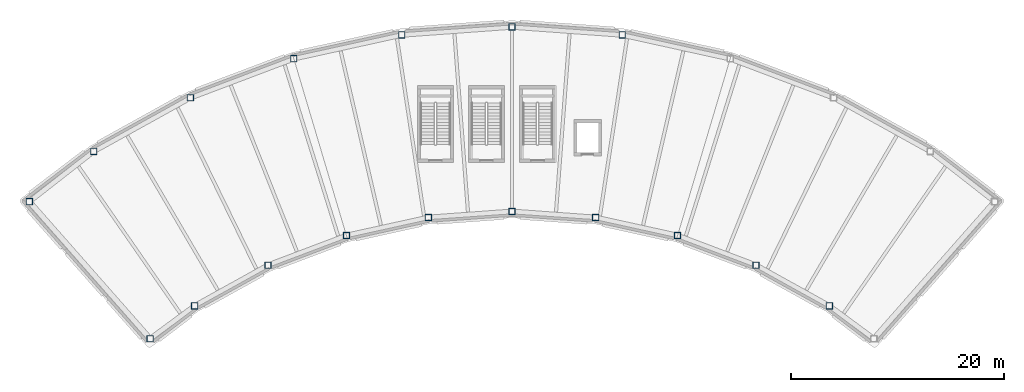
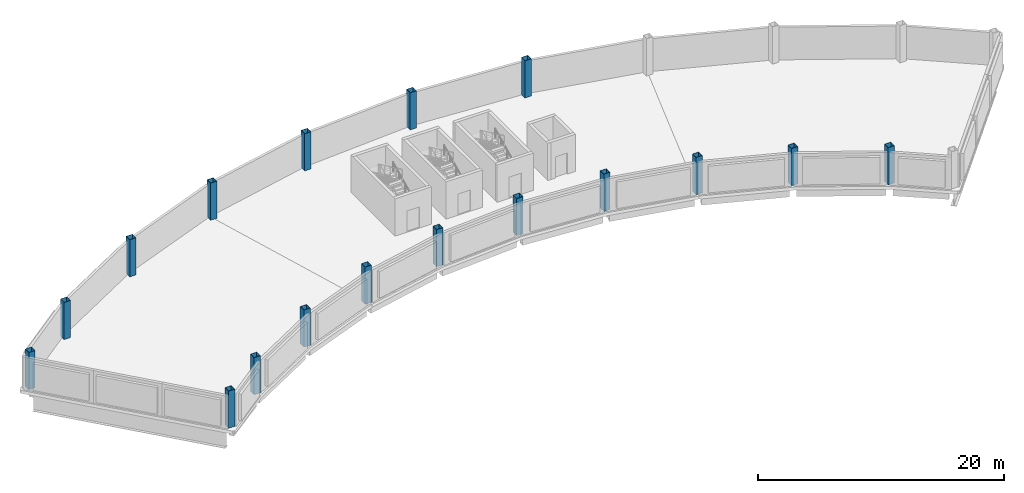
# One storey, part 1 of 5: 17 columns.
"""IFC4 building model written with IfcOpenShell, lengths in metres."""

import ifcopenshell
import ifcopenshell.guid

model = None  # the IFC model being written
_history = None  # IfcOwnerHistory: only IFC2X3 demands one
_inside = {}  # id of a spatial element -> (the spatial element, [elements in it])
_under = {}  # id of a project, library or spatial element -> (it, [spatial elements below it])
_declared = {}  # id of a project -> (the project, [libraries it declares])
_typed = {}  # id of a type object -> (the type object, [elements of that type])
_made_of = {}  # id of a material, layer set ... -> (it, [elements and type objects made of it])


def new_model(schema):
    """Start an empty IFC model of exactly this schema.

    Asked for "IFC4X3", IfcOpenShell would pick the latest addendum, in which some entities
    have other attributes; the version numbers below select the first issue.
    IFC2X3 requires an IfcOwnerHistory on every rooted entity: one is made here for all.
    """
    global model, _history
    if schema == "IFC4X3":
        model = ifcopenshell.file(schema_version=(4, 3, 0, 0))
    else:
        model = ifcopenshell.file(schema=schema)
    _inside.clear()
    _under.clear()
    _declared.clear()
    _typed.clear()
    _made_of.clear()
    _history = None
    if model.schema == "IFC2X3":
        org = make("IfcOrganization", Name="unknown")
        user = make(
            "IfcPersonAndOrganization",
            ThePerson=make("IfcPerson", FamilyName="unknown"),
            TheOrganization=org,
        )
        app = make(
            "IfcApplication",
            ApplicationDeveloper=org,
            Version="unknown",
            ApplicationFullName="unknown",
            ApplicationIdentifier="unknown",
        )
        _history = make(
            "IfcOwnerHistory",
            OwningUser=user,
            OwningApplication=app,
            ChangeAction="ADDED",
            CreationDate=0,
        )
    return model


def make(cls, **values):
    """One entity of the class cls with the attributes given. An attribute that is None is left unset."""
    return model.create_entity(
        cls, **{name: value for name, value in values.items() if value is not None}
    )


def rooted(cls, **values):
    """An entity with a GlobalId (a new one), such as an element, a storey or a relation."""
    return make(cls, GlobalId=ifcopenshell.guid.new(), OwnerHistory=_history, **values)


def si_unit(unit_type, name, prefix=None):
    """IfcSIUnit, for example si_unit("LENGTHUNIT", "METRE", prefix="MILLI")."""
    return make("IfcSIUnit", UnitType=unit_type, Prefix=prefix, Name=name)


def assignment(units):
    """IfcUnitAssignment: the units of a project."""
    return None if units is None else make("IfcUnitAssignment", Units=units)


def point(xyz):
    """IfcCartesianPoint."""
    return None if xyz is None else make("IfcCartesianPoint", Coordinates=xyz)


def direction(xyz):
    """IfcDirection."""
    return None if xyz is None else make("IfcDirection", DirectionRatios=xyz)


def frame(location, z_axis=None, x_axis=None):
    """IfcAxis2Placement3D, a coordinate frame: its origin and axes. An axis left out is left unset."""
    return make(
        "IfcAxis2Placement3D",
        Location=point(location),
        Axis=direction(z_axis),
        RefDirection=direction(x_axis),
    )


def frame_2d(location, x_axis=None):
    """IfcAxis2Placement2D, a coordinate frame in the plane: its origin and x axis."""
    return make(
        "IfcAxis2Placement2D", Location=point(location), RefDirection=direction(x_axis)
    )


def origin():
    """The frame at (0, 0, 0) with its axes left unset."""
    return frame((0.0, 0.0, 0.0))


def origin_2d():
    """The frame at (0, 0) in the plane with its x axis left unset."""
    return frame_2d((0.0, 0.0))


def place(relative_to, where):
    """IfcLocalPlacement: puts the frame where relative to a parent placement (None: the world)."""
    return make(
        "IfcLocalPlacement", PlacementRelTo=relative_to, RelativePlacement=where
    )


def context(
    kind, dimensions, precision=None, world=None, true_north=None, identifier=None
):
    """IfcGeometricRepresentationContext, for example the 3D "Model" context."""
    return make(
        "IfcGeometricRepresentationContext",
        ContextIdentifier=identifier,
        ContextType=kind,
        CoordinateSpaceDimension=dimensions,
        Precision=precision,
        WorldCoordinateSystem=world,
        TrueNorth=true_north,
    )


def subcontext(parent, identifier, kind, view, scale=None):
    """IfcGeometricRepresentationSubContext, for example "Body" below "Model"."""
    return make(
        "IfcGeometricRepresentationSubContext",
        ContextIdentifier=identifier,
        ContextType=kind,
        ParentContext=parent,
        TargetScale=scale,
        TargetView=view,
    )


def project(units=None, contexts=None):
    """IfcProject with its units and contexts."""
    return rooted(
        "IfcProject",
        Name="project",
        RepresentationContexts=contexts,
        UnitsInContext=assignment(units),
    )


def spatial(cls, under=None, at=None, **own):
    """A site, building, storey or space (cls), placed at a placement, below another one or the project."""
    s = rooted(cls, ObjectPlacement=at, **own)
    if under is not None:
        _under.setdefault(under.id(), (under, []))[1].append(s)
    return s


def profile(cls, at=None, kind="AREA", **sizes):
    """A parametric profile (cls). Its sizes go by their IFC names, for example OverallWidth=200.0."""
    return make(cls, ProfileType=kind, Position=at, **sizes)


def hollow_rectangle(**sizes):
    """IfcRectangleHollowProfileDef."""
    return profile("IfcRectangleHollowProfileDef", **sizes)


def extrude(swept, where, along, depth):
    """IfcExtrudedAreaSolid: the profile swept, set in the frame where, extruded along a direction by depth."""
    return make(
        "IfcExtrudedAreaSolid",
        SweptArea=swept,
        Position=where,
        ExtrudedDirection=direction(along),
        Depth=depth,
    )


def shape(context_of_items, identifier, shape_type, items):
    """IfcShapeRepresentation: the items that make up one representation, for example the "Body"."""
    return make(
        "IfcShapeRepresentation",
        ContextOfItems=context_of_items,
        RepresentationIdentifier=identifier,
        RepresentationType=shape_type,
        Items=items,
    )


def material(Name=None, Category=None):
    """IfcMaterial."""
    return make("IfcMaterial", Name=Name, Category=Category)


def material_profile(
    of_material, cross_section, Name=None, Category=None, Priority=None
):
    """IfcMaterialProfile: a cross section and its material."""
    return make(
        "IfcMaterialProfile",
        Name=Name,
        Material=of_material,
        Profile=cross_section,
        Priority=Priority,
        Category=Category,
    )


def profile_set(profiles, Name=None, composite=None):
    """IfcMaterialProfileSet."""
    return make(
        "IfcMaterialProfileSet",
        Name=Name,
        MaterialProfiles=profiles,
        CompositeProfile=composite,
    )


def made_of(thing, what):
    """Note that an element or type object is made of a material, layer set ...; save() writes the relation."""
    if what is not None:
        _made_of.setdefault(what.id(), (what, []))[1].append(thing)
    return thing


def type_object(cls, material=None, **own):
    """A type object (cls), such as IfcWallType, which elements share."""
    return made_of(rooted(cls, **own), material)


def element(
    cls,
    number,
    at=None,
    inside=None,
    cuts=None,
    type_object=None,
    material=None,
    context=None,
    identifier="Body",
    shape_type=None,
    held_by="IfcProductDefinitionShape",
    body=None,
    shapes=None,
    **own,
):
    """One element of the class cls, such as IfcWall. Its Tag is "e" and its number.

    at: its placement. inside: the storey or other place that contains it. cuts: it is an
    opening in that element (IfcRelVoidsElement). A single representation is given by context,
    identifier, shape_type and body (its items); several are given by shapes. held_by: the class
    of the entity that holds the representations. save() writes the other relations.
    """
    e = rooted(cls, Tag="e%d" % number, ObjectPlacement=at, **own)
    if body is not None:
        shapes = [shape(context, identifier, shape_type, body)]
    if shapes is not None:
        e.Representation = make(held_by, Representations=shapes)
    if inside is not None:
        _inside.setdefault(inside.id(), (inside, []))[1].append(e)
    if cuts is not None:
        rooted(
            "IfcRelVoidsElement", RelatingBuildingElement=cuts, RelatedOpeningElement=e
        )
    if type_object is not None:
        _typed.setdefault(type_object.id(), (type_object, []))[1].append(e)
    return made_of(e, material)


def aggregate(whole, parts):
    """IfcRelAggregates: a whole, such as a stair, and the parts it consists of."""
    return rooted("IfcRelAggregates", RelatingObject=whole, RelatedObjects=parts)


def save(model, path):
    """Write the relations noted so far, then the file.

    IfcRelAggregates (storeys below a building ...), IfcRelContainedInSpatialStructure (elements
    in a storey), IfcRelDefinesByType, IfcRelAssociatesMaterial and IfcRelDeclares: one each for
    every whole, place, type object, material and project.
    """
    for whole, parts in _under.values():
        aggregate(whole, parts)
    for where, things in _inside.values():
        rooted(
            "IfcRelContainedInSpatialStructure",
            RelatedElements=things,
            RelatingStructure=where,
        )
    for kind, things in _typed.values():
        rooted("IfcRelDefinesByType", RelatedObjects=things, RelatingType=kind)
    for what, things in _made_of.values():
        rooted("IfcRelAssociatesMaterial", RelatedObjects=things, RelatingMaterial=what)
    for by, libraries in _declared.values():
        rooted("IfcRelDeclares", RelatingContext=by, RelatedDefinitions=libraries)
    model.write(path)


model = new_model("IFC4")

# Units and contexts
model_context = context("Model", 3, precision=1e-05, world=origin(), true_north=direction((0.0, 1.0)))
body_context = subcontext(model_context, "Body", "Model", "MODEL_VIEW")
ifc_project = project(units=[si_unit("LENGTHUNIT", "METRE"), si_unit("AREAUNIT", "SQUARE_METRE"), si_unit("VOLUMEUNIT", "CUBIC_METRE"), si_unit("PLANEANGLEUNIT", "RADIAN"), si_unit("MASSUNIT", "GRAM", prefix="KILO")], contexts=[model_context])

# Site, building, storey
site_placement = place(None, origin())
site = spatial("IfcSite", under=ifc_project, at=site_placement, CompositionType="ELEMENT")
building_placement = place(site_placement, origin())
building = spatial("IfcBuilding", under=site, at=building_placement, Name="Tuul Gate Civic Tower", CompositionType="ELEMENT")
storey_placement = place(building_placement, frame((0.0, 0.0, 364.10009765625)))
storey = spatial("IfcBuildingStorey", under=building, at=storey_placement, Name="Crown tier 1 upper", CompositionType="ELEMENT", Elevation=364.10009765625)

# Columns
ifc_material = material(Name="Steel S355", Category="steel")
ifc_material_profile = material_profile(ifc_material, hollow_rectangle(XDim=0.60009765625, YDim=0.60009765625, WallThickness=0.02490234375, at=origin_2d()), Name="BOX600x600x25")
ifc_profile_set = profile_set([ifc_material_profile], Name="Steel S355")
column_type = type_object("IfcColumnType", Name="STR-COLUMN-BOX600x600x25", PredefinedType="COLUMN", material=ifc_profile_set)
for number, where, z_axis, x_axis, name in (
    (1, (12.552001953125, 11.072021484375, 0.0), (0.0, 0.0, 1.0), (1.0, 0.0, 0.0), "Column"),
    (2, (2.19189453125, 11.822021484375, 0.0), (0.0, 0.0, 1.0), (1.0, 0.0, 0.0), "Column"),
    (3, (-8.16796875, 11.072021484375, 0.0), (0.0, 0.0, 1.0), (1.0, 0.0, 0.0), "Column"),
    (4, (-18.31298828125, 8.8359375, 0.0), (0.0, 0.0, 1.0), (1.0, 0.0, 0.0), "Column"),
    (5, (-28.029052734375, 5.162109375, 0.0), (0.0, 0.0, 1.0), (1.0, 0.0, 0.0), "Column"),
    (6, (-37.114013671875, 0.1259765625, 0.0), (0.0, 0.0, 1.0), (1.0, 0.0, 0.0), "Column"),
    (7, (-43.1650390625, -4.60107421875, 0.0), (0.0, 0.0, 1.0), (1.0, 0.0, 0.0), "Column"),
    (8, (-31.81689453125, -17.48291015625, 0.0), (0.0, 0.0, 1.0), (1.0, 0.0, 0.0), "Column"),
    (9, (-27.631103515625, -14.39697265625, 0.0), (0.0, 0.0, 1.0), (1.0, 0.0, 0.0), "Column"),
    (10, (-20.738037109375, -10.575927734375, 0.0), (0.0, 0.0, 1.0), (1.0, 0.0, 0.0), "Column"),
    (11, (-13.365966796875, -7.7880859375, 0.0), (0.0, 0.0, 1.0), (1.0, 0.0, 0.0), "Column"),
    (12, (-5.6689453125, -6.092041015625, 0.0), (0.0, 0.0, 1.0), (1.0, 0.0, 0.0), "Column"),
    (13, (2.19189453125, -5.52294921875, 0.0), (0.0, 0.0, 1.0), (1.0, 0.0, 0.0), "Column"),
    (14, (10.052978515625, -6.092041015625, 0.0), (0.0, 0.0, 1.0), (1.0, 0.0, 0.0), "Column"),
    (15, (17.75, -7.7880859375, 0.0), (0.0, 0.0, 1.0), (1.0, 0.0, 0.0), "Column"),
    (16, (25.1220703125, -10.575927734375, 0.0), (0.0, 0.0, 1.0), (1.0, 0.0, 0.0), "Column"),
    (17, (32.014892578125, -14.39697265625, 0.0), (0.0, 0.0, 1.0), (1.0, 0.0, 0.0), "Column"),
):
    element("IfcColumn", number, at=place(storey_placement, frame(where, z_axis=z_axis, x_axis=x_axis)), inside=storey, type_object=column_type, Name=name, PredefinedType="COLUMN", context=body_context, shape_type="SweptSolid", body=[
        extrude(hollow_rectangle(XDim=0.60009765625, YDim=0.60009765625, WallThickness=0.02490234375, at=origin_2d()), origin(), (0.0, 0.0, 1.0), 3.699951171875),
    ])

save(model, "model.ifc")
